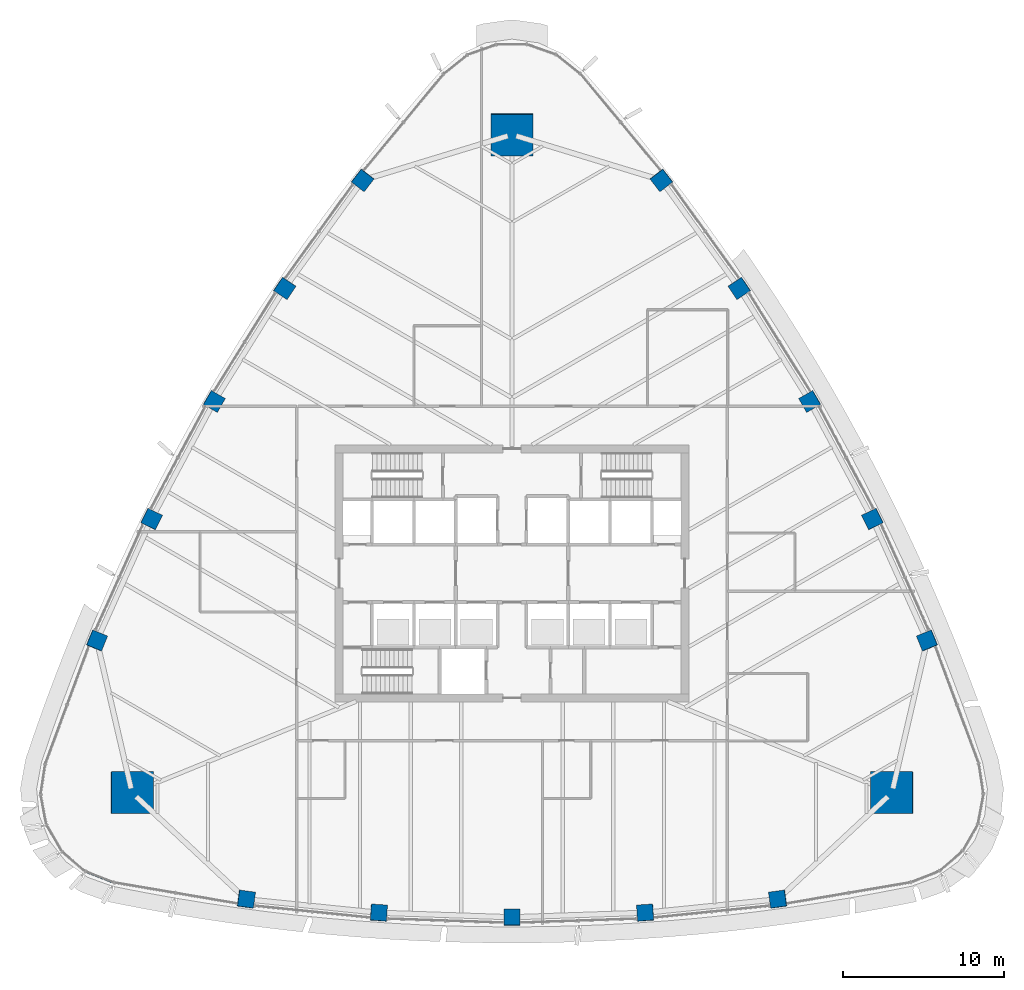
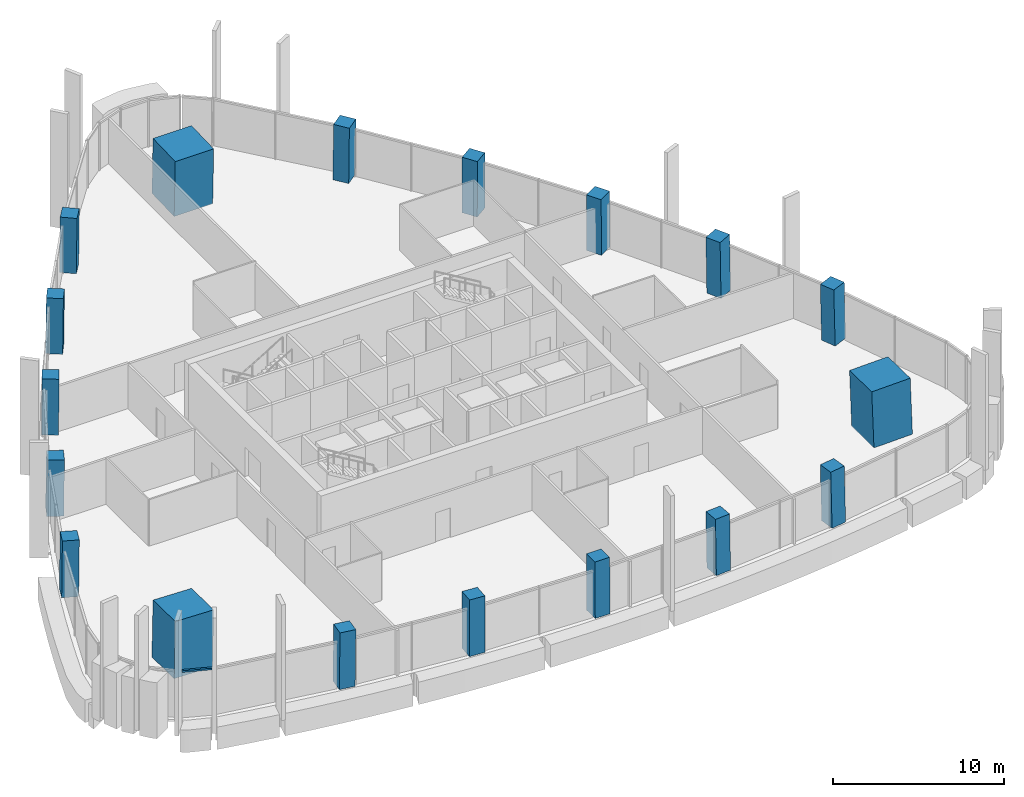
# One storey, part 1 of 19: 18 columns, 1 member, 1 element without a shape of its own.
"""IFC4 building model written with IfcOpenShell, lengths in metres."""

from ifc_helpers import new_model, si_unit, direction, frame, origin, origin_2d, place, context, subcontext, project, spatial, rectangle, extrude, material, layer, layer_set, material_profile, profile_set, type_object, element, aggregate, save


model = new_model("IFC4")

# Units and contexts
model_context = context("Model", 3, precision=1e-05, world=origin(), true_north=direction((0.0, 1.0)))
body_context = subcontext(model_context, "Body", "Model", "MODEL_VIEW")
ifc_project = project(units=[si_unit("LENGTHUNIT", "METRE"), si_unit("AREAUNIT", "SQUARE_METRE"), si_unit("VOLUMEUNIT", "CUBIC_METRE"), si_unit("PLANEANGLEUNIT", "RADIAN"), si_unit("MASSUNIT", "GRAM", prefix="KILO")], contexts=[model_context])

# Site, building, storey
site_placement = place(None, origin())
site = spatial("IfcSite", under=ifc_project, at=site_placement, CompositionType="ELEMENT")
building_placement = place(site_placement, origin())
building = spatial("IfcBuilding", under=site, at=building_placement, Name="Sierra Prisma Convention Tower", CompositionType="ELEMENT")
storey_placement = place(building_placement, frame((0.0, 0.0, 177.800048828125)))
storey = spatial("IfcBuildingStorey", under=building, at=storey_placement, Name="L39", CompositionType="ELEMENT", Elevation=177.800048828125)

# Columns
ifc_material_1 = material(Name="Concrete C60/75", Category="concrete")
ifc_material_profile_1 = material_profile(ifc_material_1, rectangle(XDim=2.60009765625, YDim=2.60009765625, at=origin_2d()), Name="Mega column RC 2600 C60/75")
ifc_profile_set_1 = profile_set([ifc_material_profile_1], Name="Concrete C60/75")
column_type_1 = type_object("IfcColumnType", Name="Mega column RC 2600 C60/75", PredefinedType="COLUMN", material=ifc_profile_set_1)
for number, where, z_axis, x_axis, name in (
    (1, (23.635009765625, -13.645751953125, 0.0), (-0.028000489904, 0.016165860184, 0.999477182096), (0.999607909415, 0.000452829555, 0.027996828039), "Mega column SE L39"),
    (2, (0.0, 27.29150390625, 0.0), (0.0, -0.032331720729, 0.999477193254), (1.0, 0.0, 0.0), "Mega column N L39"),
    (3, (-23.635009765625, -13.645751953125, 0.0), (0.028000489904, 0.016165860184, 0.999477182096), (0.999607909415, -0.000452829555, -0.027996828039), "Mega column SW L39"),
):
    element("IfcColumn", number, at=place(storey_placement, frame(where, z_axis=z_axis, x_axis=x_axis)), inside=storey, type_object=column_type_1, Name=name, PredefinedType="COLUMN", context=body_context, shape_type="SweptSolid", body=[
        extrude(rectangle(XDim=2.60009765625, YDim=2.60009765625, at=origin_2d()), origin(), (0.0, 0.0, 1.0), 4.002197265625),
    ])
ifc_material_2 = material(Name="Concrete C60/75", Category="concrete")
ifc_material_profile_2 = material_profile(ifc_material_2, rectangle(XDim=1.0, YDim=1.0, at=origin_2d()), Name="Perimeter column RC 1000 C60/75")
ifc_profile_set_2 = profile_set([ifc_material_profile_2], Name="Concrete C60/75")
column_type_2 = type_object("IfcColumnType", Name="Perimeter column RC 1000 C60/75", PredefinedType="COLUMN", material=ifc_profile_set_2)
column_1_placement = place(storey_placement, frame((-16.536376953125, -20.272705078125, 0.0), z_axis=(0.017635456472, 0.010434820265, 0.999790030557), x_axis=(-0.990735318315, 0.134853029404, 0.016068276304)))
element("IfcColumn", 4, at=column_1_placement, inside=storey, type_object=column_type_2, Name="Perimeter column S-1 L39", PredefinedType="COLUMN", context=body_context, shape_type="SweptSolid", body=[
    extrude(rectangle(XDim=1.0, YDim=1.0, at=origin_2d()), origin(), (0.0, 0.0, 1.0), 4.000732421875),
])
column_2_placement = place(storey_placement, frame((-8.287109375, -21.111328125, 0.0), z_axis=(0.008849199152, 0.01116829962, 0.999898475225), x_axis=(-0.99768068915, 0.067587294423, 0.008074659732)))
element("IfcColumn", 5, at=column_2_placement, inside=storey, type_object=column_type_2, Name="Perimeter column S-2 L39", PredefinedType="COLUMN", context=body_context, shape_type="SweptSolid", body=[
    extrude(rectangle(XDim=1.0, YDim=1.0, at=origin_2d()), origin(), (0.0, 0.0, 1.0), 4.00048828125),
])
column_3_placement = place(storey_placement, frame((0.0, -21.391357421875, 0.0), z_axis=(0.0, 0.01141283087, 0.999934871525), x_axis=(1.0, 0.0, 0.0)))
element("IfcColumn", 6, at=column_3_placement, inside=storey, type_object=column_type_2, Name="Perimeter column S-3 L39", PredefinedType="COLUMN", context=body_context, shape_type="SweptSolid", body=[
    extrude(rectangle(XDim=1.0, YDim=1.0, at=origin_2d()), origin(), (0.0, 0.0, 1.0), 4.000244140625),
])
column_4_placement = place(storey_placement, frame((8.287109375, -21.111328125, 0.0), z_axis=(-0.008849199152, 0.01116829962, 0.999898475225), x_axis=(0.99768068915, 0.067587294423, 0.008074659732)))
element("IfcColumn", 7, at=column_4_placement, inside=storey, type_object=column_type_2, Name="Perimeter column S-4 L39", PredefinedType="COLUMN", context=body_context, shape_type="SweptSolid", body=[
    extrude(rectangle(XDim=1.0, YDim=1.0, at=origin_2d()), origin(), (0.0, 0.0, 1.0), 4.00048828125),
])
for number, where, z_axis, x_axis, name in (
    (8, (16.536376953125, -20.272705078125, 0.0), (-0.017635456472, 0.010434820265, 0.999790030557), (0.990735318315, 0.134853029404, 0.016068276304), "Perimeter column S-5 L39"),
    (9, (25.824951171875, -4.1845703125, 0.0), (-0.017879535448, 0.010068680372, 0.999789449778), (-0.378749595441, 0.925359269991, -0.016092401795), "Perimeter column NE-1 L39"),
):
    element("IfcColumn", number, at=place(storey_placement, frame(where, z_axis=z_axis, x_axis=x_axis)), inside=storey, type_object=column_type_2, Name=name, PredefinedType="COLUMN", context=body_context, shape_type="SweptSolid", body=[
        extrude(rectangle(XDim=1.0, YDim=1.0, at=origin_2d()), origin(), (0.0, 0.0, 1.0), 4.000732421875),
    ])
column_5_placement = place(storey_placement, frame((22.426513671875, 3.37890625, 0.0), z_axis=(-0.014097689605, 0.002074984617, 0.999898469639), x_axis=(-0.440365548951, 0.897782283565, -0.008071840787)))
element("IfcColumn", 10, at=column_5_placement, inside=storey, type_object=column_type_2, Name="Perimeter column NE-2 L39", PredefinedType="COLUMN", context=body_context, shape_type="SweptSolid", body=[
    extrude(rectangle(XDim=1.0, YDim=1.0, at=origin_2d()), origin(), (0.0, 0.0, 1.0), 4.00048828125),
])
column_6_placement = place(storey_placement, frame((18.525390625, 10.69580078125, 0.0), z_axis=(-0.009887049298, -0.00573692984, 0.999934664812), x_axis=(-0.499975560967, 0.866039512843, 2.5126546e-05)))
element("IfcColumn", 11, at=column_6_placement, inside=storey, type_object=column_type_2, Name="Perimeter column NE-3 L39", PredefinedType="COLUMN", context=body_context, shape_type="SweptSolid", body=[
    extrude(rectangle(XDim=1.0, YDim=1.0, at=origin_2d()), origin(), (0.0, 0.0, 1.0), 4.000244140625),
])
column_7_placement = place(storey_placement, frame((14.139404296875, 17.732666015625, 0.0), z_axis=(-0.005248490815, -0.013243284963, 0.999898529226), x_axis=(-0.557302763057, 0.830270127134, 0.008071324461)))
element("IfcColumn", 12, at=column_7_placement, inside=storey, type_object=column_type_2, Name="Perimeter column NE-4 L39", PredefinedType="COLUMN", context=body_context, shape_type="SweptSolid", body=[
    extrude(rectangle(XDim=1.0, YDim=1.0, at=origin_2d()), origin(), (0.0, 0.0, 1.0), 4.00048828125),
])
for number, where, z_axis, x_axis, name in (
    (13, (9.28857421875, 24.45751953125, 0.0), (-0.000244089295, -0.02050350076, 0.999789751336), (-0.612079251113, 0.790633236701, 0.016064724764), "Perimeter column NE-5 L39"),
    (14, (-9.28857421875, 24.45751953125, 0.0), (0.000244089295, -0.02050350076, 0.999789751336), (0.612079251113, 0.790633236701, 0.016064724764), "Perimeter column NW-1 L39"),
):
    element("IfcColumn", number, at=place(storey_placement, frame(where, z_axis=z_axis, x_axis=x_axis)), inside=storey, type_object=column_type_2, Name=name, PredefinedType="COLUMN", context=body_context, shape_type="SweptSolid", body=[
        extrude(rectangle(XDim=1.0, YDim=1.0, at=origin_2d()), origin(), (0.0, 0.0, 1.0), 4.000732421875),
    ])
column_8_placement = place(storey_placement, frame((-14.139404296875, 17.732666015625, 0.0), z_axis=(0.005248490815, -0.013243284963, 0.999898529226), x_axis=(0.557302763057, 0.830270127134, 0.008071324461)))
element("IfcColumn", 15, at=column_8_placement, inside=storey, type_object=column_type_2, Name="Perimeter column NW-2 L39", PredefinedType="COLUMN", context=body_context, shape_type="SweptSolid", body=[
    extrude(rectangle(XDim=1.0, YDim=1.0, at=origin_2d()), origin(), (0.0, 0.0, 1.0), 4.00048828125),
])
column_9_placement = place(storey_placement, frame((-18.525390625, 10.69580078125, 0.0), z_axis=(0.009887049298, -0.00573692984, 0.999934664812), x_axis=(0.499975560967, 0.866039512843, 2.5126546e-05)))
element("IfcColumn", 16, at=column_9_placement, inside=storey, type_object=column_type_2, Name="Perimeter column NW-3 L39", PredefinedType="COLUMN", context=body_context, shape_type="SweptSolid", body=[
    extrude(rectangle(XDim=1.0, YDim=1.0, at=origin_2d()), origin(), (0.0, 0.0, 1.0), 4.000244140625),
])
column_10_placement = place(storey_placement, frame((-22.426513671875, 3.37890625, 0.0), z_axis=(0.014097689605, 0.002074984617, 0.999898469639), x_axis=(0.440365548951, 0.897782283565, -0.008071840787)))
element("IfcColumn", 17, at=column_10_placement, inside=storey, type_object=column_type_2, Name="Perimeter column NW-4 L39", PredefinedType="COLUMN", context=body_context, shape_type="SweptSolid", body=[
    extrude(rectangle(XDim=1.0, YDim=1.0, at=origin_2d()), origin(), (0.0, 0.0, 1.0), 4.00048828125),
])
column_11_placement = place(storey_placement, frame((-25.824951171875, -4.1845703125, 0.0), z_axis=(0.017879535448, 0.010068680372, 0.999789449778), x_axis=(0.378749595441, 0.925359269991, -0.016092401795)))
element("IfcColumn", 18, at=column_11_placement, inside=storey, type_object=column_type_2, Name="Perimeter column NW-5 L39", PredefinedType="COLUMN", context=body_context, shape_type="SweptSolid", body=[
    extrude(rectangle(XDim=1.0, YDim=1.0, at=origin_2d()), origin(), (0.0, 0.0, 1.0), 4.000732421875),
])

# Curtain wall, member
ifc_material_3 = material(Name="Aluminium and glass curtain wall", Category="aluminium")
ifc_layer = layer(ifc_material_3, 0.179931640625)
ifc_layer_set = layer_set([ifc_layer], Name="CW-1 Plain shaft curtain wall")
curtain_wall_type = type_object("IfcCurtainWallType", Name="CW-1 Plain shaft curtain wall", PredefinedType="NOTDEFINED", material=ifc_layer_set)
curtain_wall_placement = place(storey_placement, origin())
curtain_wall = element("IfcCurtainWall", 19, at=curtain_wall_placement, inside=storey, type_object=curtain_wall_type, Name="CW-1 SW5 L39", PredefinedType="NOTDEFINED")
ifc_material_4 = material(Name="Aluminium 6063-T6 bronze anodised", Category="aluminium")
ifc_material_profile_3 = material_profile(ifc_material_4, rectangle(XDim=0.139892578125, YDim=0.1201171875, at=origin_2d()), Name="ALU TRANSOM 120x140")
ifc_profile_set_3 = profile_set([ifc_material_profile_3], Name="Aluminium 6063-T6 bronze anodised")
member_type = type_object("IfcMemberType", Name="CW transom bronze", PredefinedType="USERDEFINED", material=ifc_profile_set_3)
member_placement = place(storey_placement, frame((-26.4990234375, -18.552490234375, 3.33984375), z_axis=(0.931733255929, -0.363143414916, 0.0), x_axis=(0.363143414916, 0.931733255929, 0.0)))
member = element("IfcMember", 20, at=member_placement, type_object=member_type, Name="CW-1 transom SW5.1", ObjectType="TRANSOM", PredefinedType="USERDEFINED", context=body_context, shape_type="SweptSolid", body=[
    extrude(rectangle(XDim=0.139892578125, YDim=0.1201171875, at=origin_2d()), origin(), (0.0, 0.0, 1.0), 1.774169921875),
])
aggregate(curtain_wall, [member])

save(model, "model.ifc")
